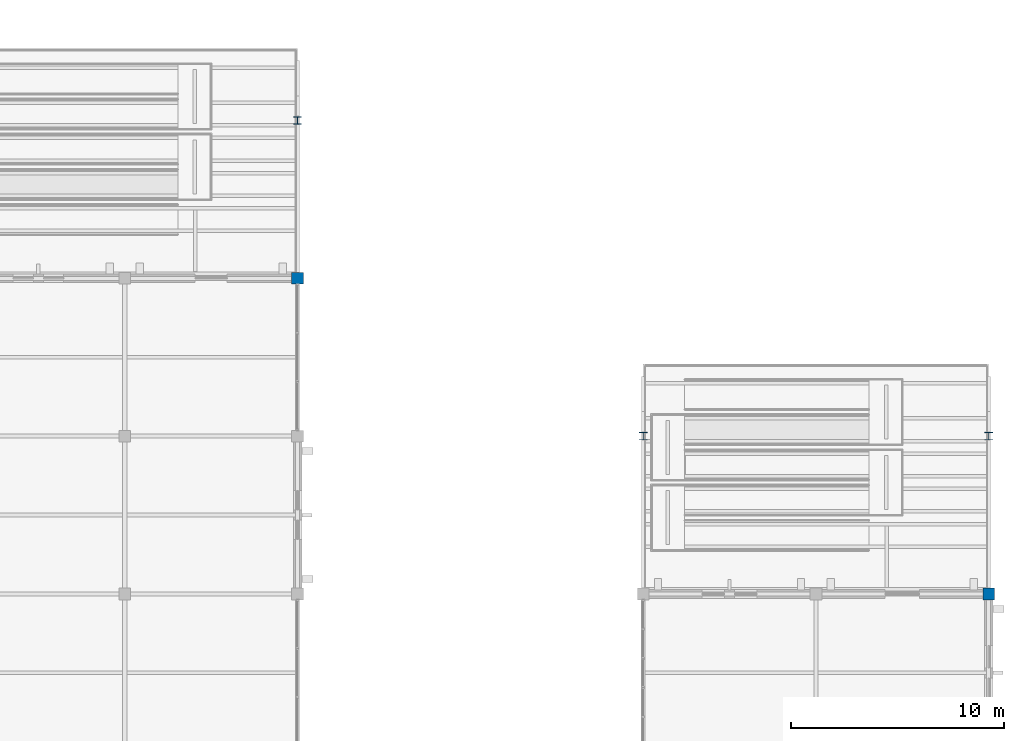
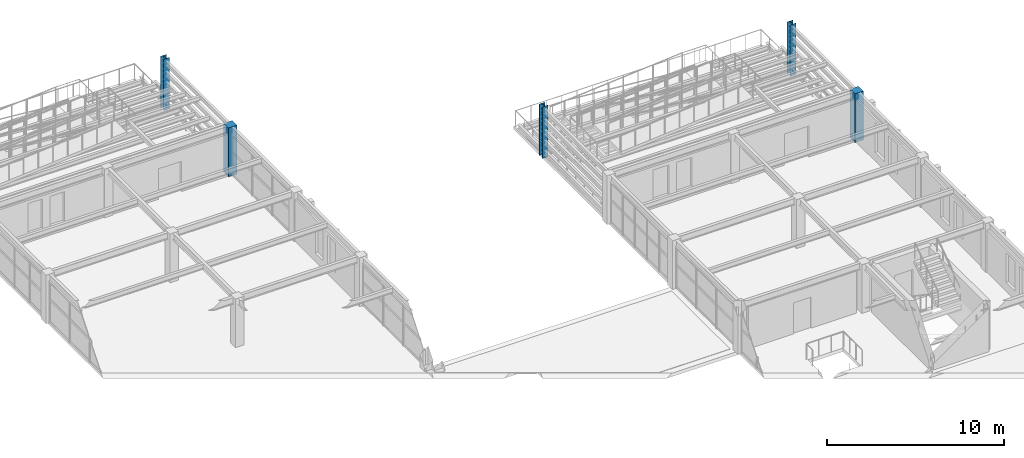
# One storey, part 7 of 121: 5 columns.
"""IFC4 building model written with IfcOpenShell, lengths in metres."""

from ifc_helpers import new_model, si_unit, direction, frame, origin, origin_2d, place, context, subcontext, project, spatial, rectangle, i_section, extrude, material, material_profile, profile_set, type_object, element, save


model = new_model("IFC4")

# Units and contexts
model_context = context("Model", 3, precision=1e-05, world=origin(), true_north=direction((0.0, 1.0)))
body_context = subcontext(model_context, "Body", "Model", "MODEL_VIEW")
ifc_project = project(units=[si_unit("LENGTHUNIT", "METRE"), si_unit("AREAUNIT", "SQUARE_METRE"), si_unit("VOLUMEUNIT", "CUBIC_METRE"), si_unit("PLANEANGLEUNIT", "RADIAN"), si_unit("MASSUNIT", "GRAM", prefix="KILO")], contexts=[model_context])

# Site, building, storey
site_placement = place(None, origin())
site = spatial("IfcSite", under=ifc_project, at=site_placement, CompositionType="ELEMENT")
building_placement = place(site_placement, origin())
building = spatial("IfcBuilding", under=site, at=building_placement, Name="Cimatlan Art Gallery", CompositionType="ELEMENT")
storey_placement = place(building_placement, frame((0.0, 0.0, 10.199951171875)))
storey = spatial("IfcBuildingStorey", under=building, at=storey_placement, Name="L02", CompositionType="ELEMENT", Elevation=10.199951171875)

# Columns
ifc_material_1 = material(Name="Concrete C45/55", Category="concrete")
ifc_material_profile_1 = material_profile(ifc_material_1, rectangle(XDim=0.550048828125, YDim=0.550048828125, at=origin_2d()), Name="RC550X550")
ifc_profile_set_1 = profile_set([ifc_material_profile_1], Name="Concrete C45/55")
column_type_1 = type_object("IfcColumnType", Name="COL-RC-550", PredefinedType="COLUMN", material=ifc_profile_set_1)
for number, where, z_axis, x_axis, name in (
    (1, (131.60009765625, 83.10009765625, 0.0), (0.0, 0.0, 1.0), (1.0, 0.0, 0.0), "COL-L02-16-11"),
    (2, (164.0, 68.300048828125, 0.0), (0.0, 0.0, 1.0), (1.0, 0.0, 0.0), "COL-L02-20-09"),
):
    element("IfcColumn", number, at=place(storey_placement, frame(where, z_axis=z_axis, x_axis=x_axis)), inside=storey, type_object=column_type_1, Name=name, PredefinedType="COLUMN", context=body_context, shape_type="SweptSolid", body=[
        extrude(rectangle(XDim=0.550048828125, YDim=0.550048828125, at=origin_2d()), origin(), (0.0, 0.0, 1.0), 3.3701171875),
    ])
ifc_material_2 = material(Name="Steel ASTM A992 Grade 50", Category="steel")
ifc_material_profile_2 = material_profile(ifc_material_2, i_section(OverallWidth=0.368896484375, OverallDepth=0.35595703125, WebThickness=0.01123046875, FlangeThickness=0.01806640625, at=origin_2d()), Name="W14X90")
ifc_profile_set_2 = profile_set([ifc_material_profile_2], Name="Steel ASTM A992 Grade 50")
column_type_2 = type_object("IfcColumnType", Name="COL-STL-W14X90", PredefinedType="COLUMN", material=ifc_profile_set_2)
for number, where, z_axis, x_axis, name in (
    (3, (131.60009765625, 90.5, 0.0), (0.0, 0.0, 1.0), (1.0, 0.0, 0.0), "COL-RMP-TER-B4-PRT-E"),
    (4, (147.800048828125, 75.699951171875, 0.0), (0.0, 0.0, 1.0), (1.0, 0.0, 0.0), "COL-RMP-TER-B5-PRT-W"),
    (5, (164.0, 75.699951171875, 0.0), (0.0, 0.0, 1.0), (1.0, 0.0, 0.0), "COL-RMP-TER-B5-PRT-E"),
):
    element("IfcColumn", number, at=place(storey_placement, frame(where, z_axis=z_axis, x_axis=x_axis)), inside=storey, type_object=column_type_2, Name=name, PredefinedType="COLUMN", context=body_context, shape_type="SweptSolid", body=[
        extrude(i_section(OverallWidth=0.368896484375, OverallDepth=0.35595703125, WebThickness=0.01123046875, FlangeThickness=0.01806640625, at=origin_2d()), origin(), (0.0, 0.0, 1.0), 3.550048828125),
    ])

save(model, "model.ifc")
